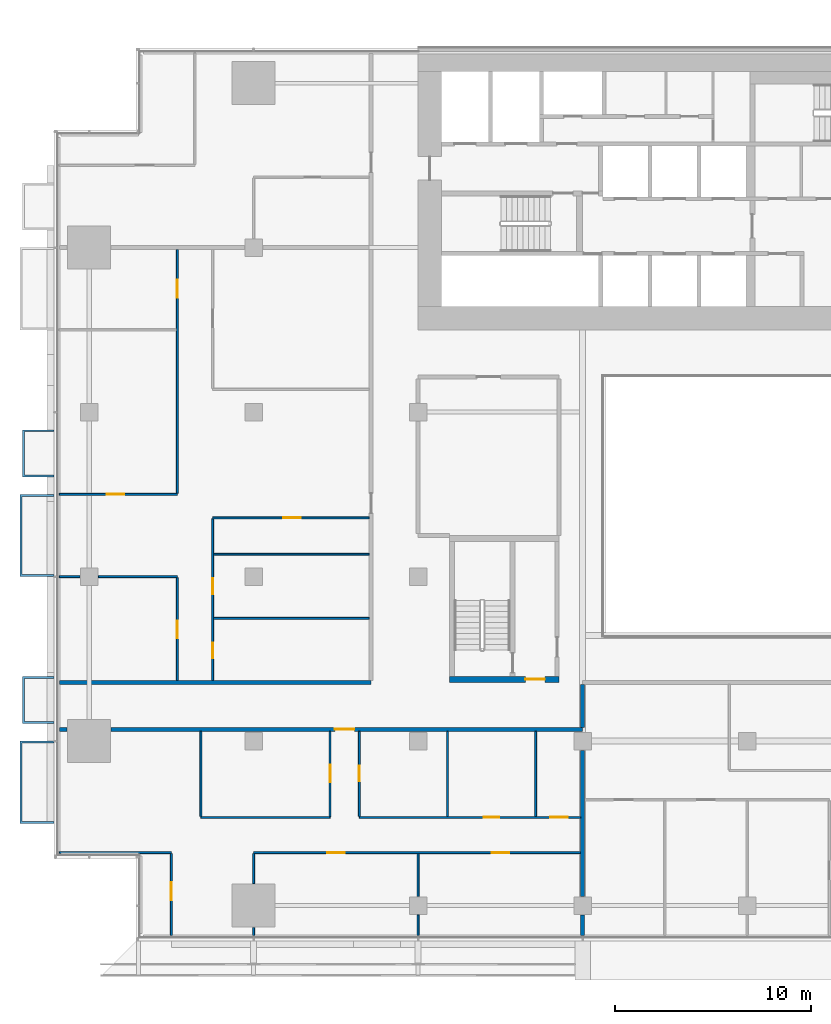
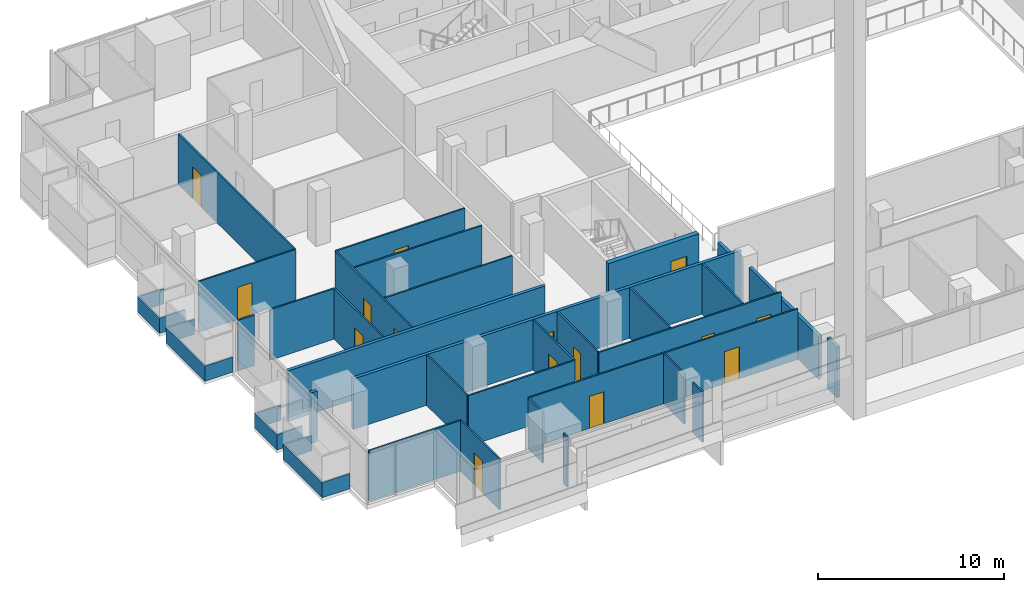
# One storey, part 17 of 30: 34 walls, 15 doors, 15 openings.
"""IFC4 building model written with IfcOpenShell, lengths in metres."""

from ifc_helpers import new_model, si_unit, direction, frame, frame_2d, origin, place, context, subcontext, project, spatial, polyline, rectangle, outline, extrude, material, layer, layer_set, type_object, element, fill, save


model = new_model("IFC4")

# Units and contexts
model_context = context("Model", 3, precision=1e-05, world=origin(), true_north=direction((0.0, 1.0)))
body_context = subcontext(model_context, "Body", "Model", "MODEL_VIEW")
ifc_project = project(units=[si_unit("LENGTHUNIT", "METRE"), si_unit("AREAUNIT", "SQUARE_METRE"), si_unit("VOLUMEUNIT", "CUBIC_METRE"), si_unit("PLANEANGLEUNIT", "RADIAN"), si_unit("MASSUNIT", "GRAM", prefix="KILO")], contexts=[model_context])

# Site, building, storey
site_placement = place(None, origin())
site = spatial("IfcSite", under=ifc_project, at=site_placement, CompositionType="ELEMENT")
building_placement = place(site_placement, origin())
building = spatial("IfcBuilding", under=site, at=building_placement, Name="Saffron Gate Tower", CompositionType="ELEMENT")
storey_placement = place(building_placement, frame((0.0, 0.0, 37.199951171875)))
storey = spatial("IfcBuildingStorey", under=building, at=storey_placement, Name="L07", CompositionType="ELEMENT", Elevation=37.199951171875)

# Wall, opening, door
ifc_material_1 = material(Name="Concrete C70", Category="concrete")
ifc_layer_1 = layer(ifc_material_1, 0.300048828125)
ifc_layer_set_1 = layer_set([ifc_layer_1], Name="CW5 RC core wall 300 C70")
wall_type_1 = type_object("IfcWallType", Name="CW5 RC core wall 300 C70", PredefinedType="SOLIDWALL", material=ifc_layer_set_1)
wall_1_placement = place(storey_placement, frame((68.199951171875, 43.35009765625, 0.0), z_axis=(0.0, 0.0, 1.0), x_axis=(1.0, 0.0, 0.0)))
wall_1 = element("IfcWall", 1, at=wall_1_placement, inside=storey, type_object=wall_type_1, Name="Wall CW5-L07-D-1", PredefinedType="SOLIDWALL", context=body_context, shape_type="SweptSolid", body=[
    extrude(rectangle(XDim=5.60009765625, YDim=0.300048828125, at=frame_2d((2.800048828125, 0.0))), origin(), (0.0, 0.0, 1.0), 3.320068359375),
])
opening_1_placement = place(wall_1_placement, frame((3.875, 0.0, 0.0)))
opening_1 = element("IfcOpeningElement", 2, at=opening_1_placement, cuts=wall_1, Name="Opening CR-18", PredefinedType="OPENING", context=body_context, shape_type="SweptSolid", body=[
    extrude(rectangle(XDim=1.0, YDim=2.10009765625, at=frame_2d((0.5, 1.050048828125))), frame((0.0, 0.16015625, 0.0), z_axis=(0.0, -1.0, 0.0), x_axis=(1.0, 0.0, 0.0)), (0.0, 0.0, 1.0), 0.320068359375),
])
ifc_material_2 = material(Name="Steel fire door set", Category="steel")
door_type_1 = type_object("IfcDoorType", Name="CD4 Lobby door 1000x2100 EI 120", OperationType="NOTDEFINED", PredefinedType="DOOR", material=ifc_material_2)
door_1_placement = place(opening_1_placement, origin())
door_1 = element("IfcDoor", 3, at=door_1_placement, inside=storey, type_object=door_type_1, Name="DOOR CR-18", OperationType="SINGLE_SWING_RIGHT", OverallHeight=2.10009765625, OverallWidth=1.0, PredefinedType="DOOR", context=body_context, shape_type="SweptSolid", body=[
    extrude(rectangle(XDim=1.0, YDim=2.10009765625, at=frame_2d((0.5, 1.050048828125))), frame((0.0, 0.02490234375, 0.0), z_axis=(0.0, -1.0, 0.0), x_axis=(1.0, 0.0, 0.0)), (0.0, 0.0, 1.0), 0.050048828125),
])
fill(opening_1, door_1)

# Wall
ifc_material_3 = material(Name="Plasterboard on steel studs", Category="steel")
ifc_layer_2 = layer(ifc_material_3, 0.10009765625)
ifc_layer_set_2 = layer_set([ifc_layer_2], Name="PW1 Partition 100")
wall_type_2 = type_object("IfcWallType", Name="PW1 Partition 100", PredefinedType="PARTITIONING", material=ifc_layer_set_2)
wall_2_placement = place(storey_placement, frame((48.280029296875, 34.5, 0.0), z_axis=(0.0, 0.0, 1.0), x_axis=(1.0, 0.0, 0.0)))
element("IfcWall", 4, at=wall_2_placement, inside=storey, type_object=wall_type_2, Name="Partition A1-1", PredefinedType="PARTITIONING", context=body_context, shape_type="SweptSolid", body=[
    extrude(rectangle(XDim=5.719970703125, YDim=0.10009765625, at=frame_2d((2.85986328125, 0.0))), origin(), (0.0, 0.0, 1.0), 3.320068359375),
])

# Wall, openings, doors
wall_3_placement = place(storey_placement, frame((74.89990234375, 34.5, 0.0), z_axis=(0.0, 0.0, 1.0), x_axis=(-1.0, 0.0, 0.0)))
wall_3 = element("IfcWall", 5, at=wall_3_placement, inside=storey, type_object=wall_type_2, Name="Partition A1-2", PredefinedType="PARTITIONING", context=body_context, shape_type="SweptSolid", body=[
    extrude(rectangle(XDim=16.699951171875, YDim=0.10009765625, at=frame_2d((8.35009765625, 0.0))), origin(), (0.0, 0.0, 1.0), 3.320068359375),
])
opening_2_placement = place(wall_3_placement, frame((3.64990234375, 0.0, 0.0)))
opening_2 = element("IfcOpeningElement", 6, at=opening_2_placement, cuts=wall_3, Name="Opening A1-10", PredefinedType="OPENING", context=body_context, shape_type="SweptSolid", body=[
    extrude(rectangle(XDim=0.89990234375, YDim=2.10009765625, at=frame_2d((0.449951171875, 1.050048828125))), frame((0.0, 0.06005859375, 0.0), z_axis=(0.0, -1.0, 0.0), x_axis=(1.0, 0.0, 0.0)), (0.0, 0.0, 1.0), 0.1201171875),
])
opening_3_placement = place(wall_3_placement, frame((12.050048828125, 0.0, 0.0)))
opening_3 = element("IfcOpeningElement", 7, at=opening_3_placement, cuts=wall_3, Name="Opening A1-9", PredefinedType="OPENING", context=body_context, shape_type="SweptSolid", body=[
    extrude(rectangle(XDim=0.89990234375, YDim=2.10009765625, at=frame_2d((0.449951171875, 1.050048828125))), frame((0.0, 0.06005859375, 0.0), z_axis=(0.0, -1.0, 0.0), x_axis=(1.0, 0.0, 0.0)), (0.0, 0.0, 1.0), 0.1201171875),
])
ifc_material_4 = material(Name="Timber door set", Category="wood")
door_type_2 = type_object("IfcDoorType", Name="RD1 Room door 900x2100", OperationType="NOTDEFINED", PredefinedType="DOOR", material=ifc_material_4)
door_2_placement = place(opening_2_placement, origin())
door_2 = element("IfcDoor", 8, at=door_2_placement, inside=storey, type_object=door_type_2, Name="Door A1-10", OperationType="SINGLE_SWING_LEFT", OverallHeight=2.10009765625, OverallWidth=0.89990234375, PredefinedType="DOOR", context=body_context, shape_type="SweptSolid", body=[
    extrude(rectangle(XDim=0.89990234375, YDim=2.10009765625, at=frame_2d((0.449951171875, 1.050048828125))), frame((0.0, 0.02490234375, 0.0), z_axis=(0.0, -1.0, 0.0), x_axis=(1.0, 0.0, 0.0)), (0.0, 0.0, 1.0), 0.050048828125),
])
fill(opening_2, door_2)
door_3_placement = place(opening_3_placement, origin())
door_3 = element("IfcDoor", 9, at=door_3_placement, inside=storey, type_object=door_type_2, Name="Door A1-9", OperationType="SINGLE_SWING_RIGHT", OverallHeight=2.10009765625, OverallWidth=0.89990234375, PredefinedType="DOOR", context=body_context, shape_type="SweptSolid", body=[
    extrude(rectangle(XDim=0.89990234375, YDim=2.10009765625, at=frame_2d((0.449951171875, 1.050048828125))), frame((0.0, 0.02490234375, 0.0), z_axis=(0.0, -1.0, 0.0), x_axis=(1.0, 0.0, 0.0)), (0.0, 0.0, 1.0), 0.050048828125),
])
fill(opening_3, door_3)

# Wall
wall_4_placement = place(storey_placement, frame((55.5, 36.300048828125, 0.0), z_axis=(0.0, 0.0, 1.0), x_axis=(1.0, 0.0, 0.0)))
element("IfcWall", 10, at=wall_4_placement, inside=storey, type_object=wall_type_2, Name="Partition A1-5", PredefinedType="PARTITIONING", context=body_context, shape_type="SweptSolid", body=[
    extrude(rectangle(XDim=6.60009765625, YDim=0.10009765625, at=frame_2d((3.300048828125, 0.0))), origin(), (0.0, 0.0, 1.0), 3.320068359375),
])

# Wall, openings, doors
wall_5_placement = place(storey_placement, frame((63.60009765625, 36.300048828125, 0.0), z_axis=(0.0, 0.0, 1.0), x_axis=(1.0, 0.0, 0.0)))
wall_5 = element("IfcWall", 11, at=wall_5_placement, inside=storey, type_object=wall_type_2, Name="Partition A1-6", PredefinedType="PARTITIONING", context=body_context, shape_type="SweptSolid", body=[
    extrude(rectangle(XDim=11.2998046875, YDim=0.10009765625, at=frame_2d((5.64990234375, 0.0))), origin(), (0.0, 0.0, 1.0), 3.320068359375),
])
opening_4_placement = place(wall_5_placement, frame((6.35009765625, 0.0, 0.0)))
opening_4 = element("IfcOpeningElement", 12, at=opening_4_placement, cuts=wall_5, Name="Opening A1-37", PredefinedType="OPENING", context=body_context, shape_type="SweptSolid", body=[
    extrude(rectangle(XDim=0.800048828125, YDim=2.10009765625, at=frame_2d((0.39990234375, 1.050048828125))), frame((0.0, 0.06005859375, 0.0), z_axis=(0.0, -1.0, 0.0), x_axis=(1.0, 0.0, 0.0)), (0.0, 0.0, 1.0), 0.1201171875),
])
opening_5_placement = place(wall_5_placement, frame((9.75, 0.0, 0.0)))
opening_5 = element("IfcOpeningElement", 13, at=opening_5_placement, cuts=wall_5, Name="Opening A1-12", PredefinedType="OPENING", context=body_context, shape_type="SweptSolid", body=[
    extrude(rectangle(XDim=0.89990234375, YDim=2.10009765625, at=frame_2d((0.449951171875, 1.050048828125))), frame((0.0, 0.06005859375, 0.0), z_axis=(0.0, -1.0, 0.0), x_axis=(1.0, 0.0, 0.0)), (0.0, 0.0, 1.0), 0.1201171875),
])
door_4_placement = place(opening_5_placement, origin())
door_4 = element("IfcDoor", 14, at=door_4_placement, inside=storey, type_object=door_type_2, Name="Door A1-12", OperationType="SINGLE_SWING_RIGHT", OverallHeight=2.10009765625, OverallWidth=0.89990234375, PredefinedType="DOOR", context=body_context, shape_type="SweptSolid", body=[
    extrude(rectangle(XDim=0.89990234375, YDim=2.10009765625, at=frame_2d((0.449951171875, 1.050048828125))), frame((0.0, 0.02490234375, 0.0), z_axis=(0.0, -1.0, 0.0), x_axis=(1.0, 0.0, 0.0)), (0.0, 0.0, 1.0), 0.050048828125),
])
fill(opening_5, door_4)
door_type_3 = type_object("IfcDoorType", Name="RD2 Bathroom door 800x2100", OperationType="NOTDEFINED", PredefinedType="DOOR", material=ifc_material_4)
door_5_placement = place(opening_4_placement, origin())
door_5 = element("IfcDoor", 15, at=door_5_placement, inside=storey, type_object=door_type_3, Name="Door A1-37", OperationType="SINGLE_SWING_RIGHT", OverallHeight=2.10009765625, OverallWidth=0.800048828125, PredefinedType="DOOR", context=body_context, shape_type="SweptSolid", body=[
    extrude(rectangle(XDim=0.800048828125, YDim=2.10009765625, at=frame_2d((0.39990234375, 1.050048828125))), frame((0.0, 0.02490234375, 0.0), z_axis=(0.0, -1.0, 0.0), x_axis=(1.0, 0.0, 0.0)), (0.0, 0.0, 1.0), 0.050048828125),
])
fill(opening_4, door_5)

# Walls
wall_6_placement = place(storey_placement, frame((56.14990234375, 46.4716796875, 0.0), z_axis=(0.0, 0.0, 1.0), x_axis=(1.0, 0.0, 0.0)))
element("IfcWall", 16, at=wall_6_placement, inside=storey, type_object=wall_type_2, Name="Partition A1-21", PredefinedType="PARTITIONING", context=body_context, shape_type="SweptSolid", body=[
    extrude(rectangle(XDim=7.9501953125, YDim=0.10009765625, at=frame_2d((3.97509765625, 0.0))), origin(), (0.0, 0.0, 1.0), 3.320068359375),
])
wall_7_placement = place(storey_placement, frame((48.280029296875, 48.60009765625, 0.0), z_axis=(0.0, 0.0, 1.0), x_axis=(1.0, 0.0, 0.0)))
element("IfcWall", 17, at=wall_7_placement, inside=storey, type_object=wall_type_2, Name="Partition A1-24", PredefinedType="PARTITIONING", context=body_context, shape_type="SweptSolid", body=[
    extrude(rectangle(XDim=1.050048828125, YDim=0.10009765625, at=frame_2d((0.52490234375, 0.0))), origin(), (0.0, 0.0, 1.0), 3.320068359375),
])
wall_8_placement = place(storey_placement, frame((50.27001953125, 48.60009765625, 0.0), z_axis=(0.0, 0.0, 1.0), x_axis=(1.0, 0.0, 0.0)))
element("IfcWall", 18, at=wall_8_placement, inside=storey, type_object=wall_type_2, Name="Partition A1-25", PredefinedType="PARTITIONING", context=body_context, shape_type="SweptSolid", body=[
    extrude(rectangle(XDim=4.030029296875, YDim=0.10009765625, at=frame_2d((2.01513671875, 0.0))), origin(), (0.0, 0.0, 1.0), 3.320068359375),
])
wall_9_placement = place(storey_placement, frame((56.14990234375, 49.7431640625, 0.0), z_axis=(0.0, 0.0, 1.0), x_axis=(1.0, 0.0, 0.0)))
element("IfcWall", 19, at=wall_9_placement, inside=storey, type_object=wall_type_2, Name="Partition A1-28", PredefinedType="PARTITIONING", context=body_context, shape_type="SweptSolid", body=[
    extrude(rectangle(XDim=7.9501953125, YDim=0.10009765625, at=frame_2d((3.97509765625, 0.0))), origin(), (0.0, 0.0, 1.0), 3.320068359375),
])

# Wall, opening, door
wall_10_placement = place(storey_placement, frame((64.10009765625, 51.60009765625, 0.0), z_axis=(0.0, 0.0, 1.0), x_axis=(-1.0, 0.0, 0.0)))
wall_10 = element("IfcWall", 20, at=wall_10_placement, inside=storey, type_object=wall_type_2, Name="Partition A1-32", PredefinedType="PARTITIONING", context=body_context, shape_type="SweptSolid", body=[
    extrude(rectangle(XDim=8.0, YDim=0.10009765625, at=frame_2d((4.0, 0.0))), origin(), (0.0, 0.0, 1.0), 3.320068359375),
])
opening_6_placement = place(wall_10_placement, frame((3.5, 0.0, 0.0)))
opening_6 = element("IfcOpeningElement", 21, at=opening_6_placement, cuts=wall_10, Name="Opening A1-27", PredefinedType="OPENING", context=body_context, shape_type="SweptSolid", body=[
    extrude(rectangle(XDim=0.89990234375, YDim=2.10009765625, at=frame_2d((0.449951171875, 1.050048828125))), frame((0.0, 0.06005859375, 0.0), z_axis=(0.0, -1.0, 0.0), x_axis=(1.0, 0.0, 0.0)), (0.0, 0.0, 1.0), 0.1201171875),
])
door_6_placement = place(opening_6_placement, origin())
door_6 = element("IfcDoor", 22, at=door_6_placement, inside=storey, type_object=door_type_2, Name="Door A1-27", OperationType="SINGLE_SWING_LEFT", OverallHeight=2.10009765625, OverallWidth=0.89990234375, PredefinedType="DOOR", context=body_context, shape_type="SweptSolid", body=[
    extrude(rectangle(XDim=0.89990234375, YDim=2.10009765625, at=frame_2d((0.449951171875, 1.050048828125))), frame((0.0, 0.02490234375, 0.0), z_axis=(0.0, -1.0, 0.0), x_axis=(1.0, 0.0, 0.0)), (0.0, 0.0, 1.0), 0.050048828125),
])
fill(opening_6, door_6)

wall_11_placement = place(storey_placement, frame((48.280029296875, 52.800048828125, 0.0), z_axis=(0.0, 0.0, 1.0), x_axis=(1.0, 0.0, 0.0)))
wall_11 = element("IfcWall", 23, at=wall_11_placement, inside=storey, type_object=wall_type_2, Name="Partition A1-33", PredefinedType="PARTITIONING", context=body_context, shape_type="SweptSolid", body=[
    extrude(rectangle(XDim=6.02001953125, YDim=0.10009765625, at=frame_2d((3.010009765625, 0.0))), origin(), (0.0, 0.0, 1.0), 3.320068359375),
])
opening_7_placement = place(wall_11_placement, frame((2.419921875, 0.0, 0.0)))
opening_7 = element("IfcOpeningElement", 24, at=opening_7_placement, cuts=wall_11, Name="Opening A1-24", PredefinedType="OPENING", context=body_context, shape_type="SweptSolid", body=[
    extrude(rectangle(XDim=0.89990234375, YDim=2.10009765625, at=frame_2d((0.449951171875, 1.050048828125))), frame((0.0, 0.06005859375, 0.0), z_axis=(0.0, -1.0, 0.0), x_axis=(1.0, 0.0, 0.0)), (0.0, 0.0, 1.0), 0.1201171875),
])
door_7_placement = place(opening_7_placement, origin())
door_7 = element("IfcDoor", 25, at=door_7_placement, inside=storey, type_object=door_type_2, Name="Door A1-24", OperationType="SINGLE_SWING_LEFT", OverallHeight=2.10009765625, OverallWidth=0.89990234375, PredefinedType="DOOR", context=body_context, shape_type="SweptSolid", body=[
    extrude(rectangle(XDim=0.89990234375, YDim=2.10009765625, at=frame_2d((0.449951171875, 1.050048828125))), frame((0.0, 0.02490234375, 0.0), z_axis=(0.0, -1.0, 0.0), x_axis=(1.0, 0.0, 0.0)), (0.0, 0.0, 1.0), 0.050048828125),
])
fill(opening_7, door_7)

wall_12_placement = place(storey_placement, frame((54.0, 30.280029296875, 0.0), z_axis=(0.0, 0.0, 1.0), x_axis=(0.0, 1.0, 0.0)))
wall_12 = element("IfcWall", 26, at=wall_12_placement, inside=storey, type_object=wall_type_2, Name="Partition A1-52", PredefinedType="PARTITIONING", context=body_context, shape_type="SweptSolid", body=[
    extrude(rectangle(XDim=4.169921875, YDim=0.10009765625, at=frame_2d((2.0849609375, 0.0))), origin(), (0.0, 0.0, 1.0), 3.320068359375),
])
opening_8_placement = place(wall_12_placement, frame((1.802734375, 0.0, 0.0)))
opening_8 = element("IfcOpeningElement", 27, at=opening_8_placement, cuts=wall_12, Name="Opening A1-8", PredefinedType="OPENING", context=body_context, shape_type="SweptSolid", body=[
    extrude(rectangle(XDim=0.89990234375, YDim=2.10009765625, at=frame_2d((0.449951171875, 1.050048828125))), frame((0.0, 0.06005859375, 0.0), z_axis=(0.0, -1.0, 0.0), x_axis=(1.0, 0.0, 0.0)), (0.0, 0.0, 1.0), 0.1201171875),
])
door_8_placement = place(opening_8_placement, origin())
door_8 = element("IfcDoor", 28, at=door_8_placement, inside=storey, type_object=door_type_2, Name="Door A1-8", OperationType="SINGLE_SWING_RIGHT", OverallHeight=2.10009765625, OverallWidth=0.89990234375, PredefinedType="DOOR", context=body_context, shape_type="SweptSolid", body=[
    extrude(rectangle(XDim=0.89990234375, YDim=2.10009765625, at=frame_2d((0.449951171875, 1.050048828125))), frame((0.0, 0.02490234375, 0.0), z_axis=(0.0, -1.0, 0.0), x_axis=(1.0, 0.0, 0.0)), (0.0, 0.0, 1.0), 0.050048828125),
])
fill(opening_8, door_8)

wall_13_placement = place(storey_placement, frame((54.300048828125, 43.300048828125, 0.0), z_axis=(0.0, 0.0, 1.0), x_axis=(0.0, 1.0, 0.0)))
wall_13 = element("IfcWall", 29, at=wall_13_placement, inside=storey, type_object=wall_type_2, Name="Partition A1-53", PredefinedType="PARTITIONING", context=body_context, shape_type="SweptSolid", body=[
    extrude(rectangle(XDim=5.25, YDim=0.10009765625, at=frame_2d((2.625, 0.0))), origin(), (0.0, 0.0, 1.0), 3.320068359375),
])
opening_9_placement = place(wall_13_placement, frame((2.14990234375, 0.0, 0.0)))
opening_9 = element("IfcOpeningElement", 30, at=opening_9_placement, cuts=wall_13, Name="Opening A1-23", PredefinedType="OPENING", context=body_context, shape_type="SweptSolid", body=[
    extrude(rectangle(XDim=0.89990234375, YDim=2.10009765625, at=frame_2d((0.449951171875, 1.050048828125))), frame((0.0, 0.06005859375, 0.0), z_axis=(0.0, -1.0, 0.0), x_axis=(1.0, 0.0, 0.0)), (0.0, 0.0, 1.0), 0.1201171875),
])
door_9_placement = place(opening_9_placement, origin())
door_9 = element("IfcDoor", 31, at=door_9_placement, inside=storey, type_object=door_type_2, Name="Door A1-23", OperationType="SINGLE_SWING_LEFT", OverallHeight=2.10009765625, OverallWidth=0.89990234375, PredefinedType="DOOR", context=body_context, shape_type="SweptSolid", body=[
    extrude(rectangle(XDim=0.89990234375, YDim=2.10009765625, at=frame_2d((0.449951171875, 1.050048828125))), frame((0.0, 0.02490234375, 0.0), z_axis=(0.0, -1.0, 0.0), x_axis=(1.0, 0.0, 0.0)), (0.0, 0.0, 1.0), 0.050048828125),
])
fill(opening_9, door_9)

wall_14_placement = place(storey_placement, frame((54.300048828125, 52.85009765625, 0.0), z_axis=(0.0, 0.0, 1.0), x_axis=(0.0, 1.0, 0.0)))
wall_14 = element("IfcWall", 32, at=wall_14_placement, inside=storey, type_object=wall_type_2, Name="Partition A1-54", PredefinedType="PARTITIONING", context=body_context, shape_type="SweptSolid", body=[
    extrude(rectangle(XDim=12.449951171875, YDim=0.10009765625, at=frame_2d((6.22509765625, 0.0))), origin(), (0.0, 0.0, 1.0), 3.320068359375),
])
opening_10_placement = place(wall_14_placement, frame((10.0, 0.0, 0.0)))
opening_10 = element("IfcOpeningElement", 33, at=opening_10_placement, cuts=wall_14, Name="Opening A1-25", PredefinedType="OPENING", context=body_context, shape_type="SweptSolid", body=[
    extrude(rectangle(XDim=0.89990234375, YDim=2.10009765625, at=frame_2d((0.449951171875, 1.050048828125))), frame((0.0, 0.06005859375, 0.0), z_axis=(0.0, -1.0, 0.0), x_axis=(1.0, 0.0, 0.0)), (0.0, 0.0, 1.0), 0.1201171875),
])
door_10_placement = place(opening_10_placement, origin())
door_10 = element("IfcDoor", 34, at=door_10_placement, inside=storey, type_object=door_type_2, Name="Door A1-25", OperationType="SINGLE_SWING_RIGHT", OverallHeight=2.10009765625, OverallWidth=0.89990234375, PredefinedType="DOOR", context=body_context, shape_type="SweptSolid", body=[
    extrude(rectangle(XDim=0.89990234375, YDim=2.10009765625, at=frame_2d((0.449951171875, 1.050048828125))), frame((0.0, 0.02490234375, 0.0), z_axis=(0.0, -1.0, 0.0), x_axis=(1.0, 0.0, 0.0)), (0.0, 0.0, 1.0), 0.050048828125),
])
fill(opening_10, door_10)

# Wall
wall_15_placement = place(storey_placement, frame((55.5, 40.699951171875, 0.0), z_axis=(0.0, 0.0, 1.0), x_axis=(0.0, -1.0, 0.0)))
element("IfcWall", 35, at=wall_15_placement, inside=storey, type_object=wall_type_2, Name="Partition A1-56", PredefinedType="PARTITIONING", context=body_context, shape_type="SweptSolid", body=[
    extrude(rectangle(XDim=4.349853515625, YDim=0.10009765625, at=frame_2d((2.1748046875, 0.0))), origin(), (0.0, 0.0, 1.0), 3.320068359375),
])

# Wall, openings, doors
wall_16_placement = place(storey_placement, frame((56.10009765625, 51.550048828125, 0.0), z_axis=(0.0, 0.0, 1.0), x_axis=(0.0, -1.0, 0.0)))
wall_16 = element("IfcWall", 36, at=wall_16_placement, inside=storey, type_object=wall_type_2, Name="Partition A1-57", PredefinedType="PARTITIONING", context=body_context, shape_type="SweptSolid", body=[
    extrude(rectangle(XDim=8.25, YDim=0.10009765625, at=frame_2d((4.125, 0.0))), origin(), (0.0, 0.0, 1.0), 3.320068359375),
])
opening_11_placement = place(wall_16_placement, frame((3.04248046875, 0.0, 0.0)))
opening_11 = element("IfcOpeningElement", 37, at=opening_11_placement, cuts=wall_16, Name="Opening A1-43", PredefinedType="OPENING", context=body_context, shape_type="SweptSolid", body=[
    extrude(rectangle(XDim=0.800048828125, YDim=2.10009765625, at=frame_2d((0.39990234375, 1.050048828125))), frame((0.0, 0.06005859375, 0.0), z_axis=(0.0, -1.0, 0.0), x_axis=(1.0, 0.0, 0.0)), (0.0, 0.0, 1.0), 0.1201171875),
])
opening_12_placement = place(wall_16_placement, frame((6.314208984375, 0.0, 0.0)))
opening_12 = element("IfcOpeningElement", 38, at=opening_12_placement, cuts=wall_16, Name="Opening A1-42", PredefinedType="OPENING", context=body_context, shape_type="SweptSolid", body=[
    extrude(rectangle(XDim=0.800048828125, YDim=2.10009765625, at=frame_2d((0.39990234375, 1.050048828125))), frame((0.0, 0.06005859375, 0.0), z_axis=(0.0, -1.0, 0.0), x_axis=(1.0, 0.0, 0.0)), (0.0, 0.0, 1.0), 0.1201171875),
])
door_11_placement = place(opening_11_placement, origin())
door_11 = element("IfcDoor", 39, at=door_11_placement, inside=storey, type_object=door_type_3, Name="Door A1-43", OperationType="SINGLE_SWING_RIGHT", OverallHeight=2.10009765625, OverallWidth=0.800048828125, PredefinedType="DOOR", context=body_context, shape_type="SweptSolid", body=[
    extrude(rectangle(XDim=0.800048828125, YDim=2.10009765625, at=frame_2d((0.39990234375, 1.050048828125))), frame((0.0, 0.02490234375, 0.0), z_axis=(0.0, -1.0, 0.0), x_axis=(1.0, 0.0, 0.0)), (0.0, 0.0, 1.0), 0.050048828125),
])
fill(opening_11, door_11)
door_12_placement = place(opening_12_placement, origin())
door_12 = element("IfcDoor", 40, at=door_12_placement, inside=storey, type_object=door_type_3, Name="Door A1-42", OperationType="SINGLE_SWING_RIGHT", OverallHeight=2.10009765625, OverallWidth=0.800048828125, PredefinedType="DOOR", context=body_context, shape_type="SweptSolid", body=[
    extrude(rectangle(XDim=0.800048828125, YDim=2.10009765625, at=frame_2d((0.39990234375, 1.050048828125))), frame((0.0, 0.02490234375, 0.0), z_axis=(0.0, -1.0, 0.0), x_axis=(1.0, 0.0, 0.0)), (0.0, 0.0, 1.0), 0.050048828125),
])
fill(opening_12, door_12)

# Walls
wall_17_placement = place(storey_placement, frame((58.199951171875, 30.679931640625, 0.0), z_axis=(0.0, 0.0, 1.0), x_axis=(0.0, -1.0, 0.0)))
element("IfcWall", 41, at=wall_17_placement, inside=storey, type_object=wall_type_2, Name="Partition A1-59", PredefinedType="PARTITIONING", context=body_context, shape_type="SweptSolid", body=[
    extrude(rectangle(XDim=0.39990234375, YDim=0.10009765625, at=frame_2d((0.199951171875, 0.0))), origin(), (0.0, 0.0, 1.0), 3.320068359375),
])
wall_18_placement = place(storey_placement, frame((58.199951171875, 34.449951171875, 0.0), z_axis=(0.0, 0.0, 1.0), x_axis=(0.0, -1.0, 0.0)))
element("IfcWall", 42, at=wall_18_placement, inside=storey, type_object=wall_type_2, Name="Partition A1-60", PredefinedType="PARTITIONING", context=body_context, shape_type="SweptSolid", body=[
    extrude(rectangle(XDim=1.530029296875, YDim=0.10009765625, at=frame_2d((0.76513671875, 0.0))), origin(), (0.0, 0.0, 1.0), 3.320068359375),
])

# Wall, opening, door
wall_19_placement = place(storey_placement, frame((62.10009765625, 36.35009765625, 0.0), z_axis=(0.0, 0.0, 1.0), x_axis=(0.0, 1.0, 0.0)))
wall_19 = element("IfcWall", 43, at=wall_19_placement, inside=storey, type_object=wall_type_2, Name="Partition A1-62", PredefinedType="PARTITIONING", context=body_context, shape_type="SweptSolid", body=[
    extrude(rectangle(XDim=4.349853515625, YDim=0.10009765625, at=frame_2d((2.1748046875, 0.0))), origin(), (0.0, 0.0, 1.0), 3.320068359375),
])
opening_13_placement = place(wall_19_placement, frame((1.75, 0.0, 0.0)))
opening_13 = element("IfcOpeningElement", 44, at=opening_13_placement, cuts=wall_19, Name="Opening A1-11", PredefinedType="OPENING", context=body_context, shape_type="SweptSolid", body=[
    extrude(rectangle(XDim=0.89990234375, YDim=2.10009765625, at=frame_2d((0.449951171875, 1.050048828125))), frame((0.0, 0.06005859375, 0.0), z_axis=(0.0, -1.0, 0.0), x_axis=(1.0, 0.0, 0.0)), (0.0, 0.0, 1.0), 0.1201171875),
])
door_13_placement = place(opening_13_placement, origin())
door_13 = element("IfcDoor", 45, at=door_13_placement, inside=storey, type_object=door_type_2, Name="Door A1-11", OperationType="SINGLE_SWING_RIGHT", OverallHeight=2.10009765625, OverallWidth=0.89990234375, PredefinedType="DOOR", context=body_context, shape_type="SweptSolid", body=[
    extrude(rectangle(XDim=0.89990234375, YDim=2.10009765625, at=frame_2d((0.449951171875, 1.050048828125))), frame((0.0, 0.02490234375, 0.0), z_axis=(0.0, -1.0, 0.0), x_axis=(1.0, 0.0, 0.0)), (0.0, 0.0, 1.0), 0.050048828125),
])
fill(opening_13, door_13)

wall_20_placement = place(storey_placement, frame((63.60009765625, 40.699951171875, 0.0), z_axis=(0.0, 0.0, 1.0), x_axis=(0.0, -1.0, 0.0)))
wall_20 = element("IfcWall", 46, at=wall_20_placement, inside=storey, type_object=wall_type_2, Name="Partition A1-63", PredefinedType="PARTITIONING", context=body_context, shape_type="SweptSolid", body=[
    extrude(rectangle(XDim=4.349853515625, YDim=0.10009765625, at=frame_2d((2.1748046875, 0.0))), origin(), (0.0, 0.0, 1.0), 3.320068359375),
])
opening_14_placement = place(wall_20_placement, frame((1.75, 0.0, 0.0)))
opening_14 = element("IfcOpeningElement", 47, at=opening_14_placement, cuts=wall_20, Name="Opening A1-36", PredefinedType="OPENING", context=body_context, shape_type="SweptSolid", body=[
    extrude(rectangle(XDim=0.800048828125, YDim=2.10009765625, at=frame_2d((0.39990234375, 1.050048828125))), frame((0.0, 0.06005859375, 0.0), z_axis=(0.0, -1.0, 0.0), x_axis=(1.0, 0.0, 0.0)), (0.0, 0.0, 1.0), 0.1201171875),
])
door_14_placement = place(opening_14_placement, origin())
door_14 = element("IfcDoor", 48, at=door_14_placement, inside=storey, type_object=door_type_3, Name="Door A1-36", OperationType="SINGLE_SWING_LEFT", OverallHeight=2.10009765625, OverallWidth=0.800048828125, PredefinedType="DOOR", context=body_context, shape_type="SweptSolid", body=[
    extrude(rectangle(XDim=0.800048828125, YDim=2.10009765625, at=frame_2d((0.39990234375, 1.050048828125))), frame((0.0, 0.02490234375, 0.0), z_axis=(0.0, -1.0, 0.0), x_axis=(1.0, 0.0, 0.0)), (0.0, 0.0, 1.0), 0.050048828125),
])
fill(opening_14, door_14)

# Walls
wall_21_placement = place(storey_placement, frame((66.60009765625, 31.330078125, 0.0), z_axis=(0.0, 0.0, 1.0), x_axis=(0.0, -1.0, 0.0)))
element("IfcWall", 49, at=wall_21_placement, inside=storey, type_object=wall_type_2, Name="Partition A1-67", PredefinedType="PARTITIONING", context=body_context, shape_type="SweptSolid", body=[
    extrude(rectangle(XDim=1.050048828125, YDim=0.10009765625, at=frame_2d((0.52490234375, 0.0))), origin(), (0.0, 0.0, 1.0), 3.320068359375),
])
wall_22_placement = place(storey_placement, frame((66.60009765625, 34.449951171875, 0.0), z_axis=(0.0, 0.0, 1.0), x_axis=(0.0, -1.0, 0.0)))
element("IfcWall", 50, at=wall_22_placement, inside=storey, type_object=wall_type_2, Name="Partition A1-68", PredefinedType="PARTITIONING", context=body_context, shape_type="SweptSolid", body=[
    extrude(rectangle(XDim=2.179931640625, YDim=0.10009765625, at=frame_2d((1.08984375, 0.0))), origin(), (0.0, 0.0, 1.0), 3.320068359375),
])
for number, where, z_axis, x_axis, name in (
    (51, (68.10009765625, 40.699951171875, 0.0), (0.0, 0.0, 1.0), (0.0, -1.0, 0.0), "Partition A1-69"),
    (52, (72.60009765625, 40.699951171875, 0.0), (0.0, 0.0, 1.0), (0.0, -1.0, 0.0), "Partition A1-70"),
):
    element("IfcWall", number, at=place(storey_placement, frame(where, z_axis=z_axis, x_axis=x_axis)), inside=storey, type_object=wall_type_2, Name=name, PredefinedType="PARTITIONING", context=body_context, shape_type="SweptSolid", body=[
        extrude(rectangle(XDim=4.349853515625, YDim=0.10009765625, at=frame_2d((2.1748046875, 0.0))), origin(), (0.0, 0.0, 1.0), 3.320068359375),
    ])
ifc_material_5 = material(Name="Clay brick masonry, rendered", Category="masonry")
ifc_layer_3 = layer(ifc_material_5, 0.199951171875)
ifc_layer_set_3 = layer_set([ifc_layer_3], Name="PW2 Demising wall 200")
wall_type_3 = type_object("IfcWallType", Name="PW2 Demising wall 200", PredefinedType="PARTITIONING", material=ifc_layer_set_3)
wall_23_placement = place(storey_placement, frame((75.0, 31.330078125, 0.0), z_axis=(0.0, 0.0, 1.0), x_axis=(0.0, -1.0, 0.0)))
element("IfcWall", 53, at=wall_23_placement, inside=storey, type_object=wall_type_3, Name="Wall A1-73", PredefinedType="PARTITIONING", context=body_context, shape_type="SweptSolid", body=[
    extrude(rectangle(XDim=1.050048828125, YDim=0.199951171875, at=frame_2d((0.52490234375, 0.0))), origin(), (0.0, 0.0, 1.0), 3.320068359375),
])
wall_24_placement = place(storey_placement, frame((75.0, 39.72998046875, 0.0), z_axis=(0.0, 0.0, 1.0), x_axis=(0.0, -1.0, 0.0)))
element("IfcWall", 54, at=wall_24_placement, inside=storey, type_object=wall_type_3, Name="Wall A1-74", PredefinedType="PARTITIONING", context=body_context, shape_type="SweptSolid", body=[
    extrude(rectangle(XDim=7.4599609375, YDim=0.199951171875, at=frame_2d((3.72998046875, 0.0))), origin(), (0.0, 0.0, 1.0), 2.830078125),
])
ifc_layer_4 = layer(ifc_material_5, 0.199951171875)
ifc_layer_set_4 = layer_set([ifc_layer_4], Name="PW3 Corridor wall 200")
wall_type_4 = type_object("IfcWallType", Name="PW3 Corridor wall 200", PredefinedType="PARTITIONING", material=ifc_layer_set_4)
wall_25_placement = place(storey_placement, frame((48.280029296875, 40.800048828125, 0.0), z_axis=(0.0, 0.0, 1.0), x_axis=(1.0, 0.0, 0.0)))
element("IfcWall", 55, at=wall_25_placement, inside=storey, type_object=wall_type_4, Name="Wall A1-13", PredefinedType="PARTITIONING", context=body_context, shape_type="SweptSolid", body=[
    extrude(rectangle(XDim=0.39990234375, YDim=0.199951171875, at=frame_2d((0.199951171875, 0.0))), origin(), (0.0, 0.0, 1.0), 3.320068359375),
])

# Wall, opening, door
wall_26_placement = place(storey_placement, frame((75.0, 40.800048828125, 0.0), z_axis=(0.0, 0.0, 1.0), x_axis=(-1.0, 0.0, 0.0)))
wall_26 = element("IfcWall", 56, at=wall_26_placement, inside=storey, type_object=wall_type_4, Name="Wall A1-14", PredefinedType="PARTITIONING", context=body_context, shape_type="SweptSolid", body=[
    extrude(rectangle(XDim=24.080078125, YDim=0.199951171875, at=frame_2d((12.0400390625, 0.0))), origin(), (0.0, 0.0, 1.0), 3.320068359375),
])
opening_15_placement = place(wall_26_placement, frame((11.64990234375, 0.0, 0.0)))
opening_15 = element("IfcOpeningElement", 57, at=opening_15_placement, cuts=wall_26, Name="Opening A1-1", PredefinedType="OPENING", context=body_context, shape_type="SweptSolid", body=[
    extrude(rectangle(XDim=1.0, YDim=2.10009765625, at=frame_2d((0.5, 1.050048828125))), frame((0.0, 0.10986328125, 0.0), z_axis=(0.0, -1.0, 0.0), x_axis=(1.0, 0.0, 0.0)), (0.0, 0.0, 1.0), 0.219970703125),
])
ifc_material_6 = material(Name="Timber fire door set", Category="wood")
door_type_4 = type_object("IfcDoorType", Name="FD1 Flat entry door 1000x2100", OperationType="NOTDEFINED", PredefinedType="DOOR", material=ifc_material_6)
door_15_placement = place(opening_15_placement, origin())
door_15 = element("IfcDoor", 58, at=door_15_placement, inside=storey, type_object=door_type_4, Name="Door A1-1", OperationType="SINGLE_SWING_LEFT", OverallHeight=2.10009765625, OverallWidth=1.0, PredefinedType="DOOR", context=body_context, shape_type="SweptSolid", body=[
    extrude(rectangle(XDim=1.0, YDim=2.10009765625, at=frame_2d((0.5, 1.050048828125))), frame((0.0, 0.02490234375, 0.0), z_axis=(0.0, -1.0, 0.0), x_axis=(1.0, 0.0, 0.0)), (0.0, 0.0, 1.0), 0.050048828125),
])
fill(opening_15, door_15)

# Walls
wall_27_placement = place(storey_placement, frame((48.280029296875, 43.199951171875, 0.0), z_axis=(0.0, 0.0, 1.0), x_axis=(1.0, 0.0, 0.0)))
element("IfcWall", 59, at=wall_27_placement, inside=storey, type_object=wall_type_4, Name="Wall A1-17", PredefinedType="PARTITIONING", context=body_context, shape_type="SweptSolid", body=[
    extrude(rectangle(XDim=15.919921875, YDim=0.199951171875, at=frame_2d((7.9599609375, 0.0))), origin(), (0.0, 0.0, 1.0), 3.320068359375),
])
wall_28_placement = place(storey_placement, frame((75.0, 43.10009765625, 0.0), z_axis=(0.0, 0.0, 1.0), x_axis=(0.0, -1.0, 0.0)))
element("IfcWall", 60, at=wall_28_placement, inside=storey, type_object=wall_type_4, Name="Wall A1-72", PredefinedType="PARTITIONING", context=body_context, shape_type="SweptSolid", body=[
    extrude(rectangle(XDim=2.2001953125, YDim=0.199951171875, at=frame_2d((1.10009765625, 0.0))), origin(), (0.0, 0.0, 1.0), 2.429931640625),
])
ifc_material_7 = material(Name="Rendered insulated panel, white")
ifc_layer_5 = layer(ifc_material_7, 0.10009765625)
ifc_layer_set_5 = layer_set([ifc_layer_5], Name="WB3 box parapet white")
wall_type_5 = type_object("IfcWallType", Name="WB3 box parapet white", PredefinedType="SOLIDWALL", material=ifc_layer_set_5)
wall_29_placement = place(storey_placement, origin())
element("IfcWall", 61, at=wall_29_placement, inside=storey, type_object=wall_type_5, Name="WINDOW BOX parapet", PredefinedType="SOLIDWALL", context=body_context, shape_type="SweptSolid", body=[
    extrude(outline(polyline([(48.0, 56.10009765625), (48.0, 56.0), (46.5, 56.0), (46.5, 53.800048828125), (48.0, 53.800048828125), (48.0, 53.699951171875), (46.39990234375, 53.699951171875), (46.39990234375, 56.10009765625), (48.0, 56.10009765625)])), origin(), (0.0, 0.0, 1.0), 1.0),
])
wall_30_placement = place(storey_placement, origin())
element("IfcWall", 62, at=wall_30_placement, inside=storey, type_object=wall_type_5, Name="WINDOW BOX parapet", PredefinedType="SOLIDWALL", context=body_context, shape_type="SweptSolid", body=[
    extrude(outline(polyline([(48.0, 52.800048828125), (48.0, 52.699951171875), (46.366943359375, 52.699951171875), (46.366943359375, 48.699951171875), (48.0, 48.699951171875), (48.0, 48.60009765625), (46.26708984375, 48.60009765625), (46.26708984375, 52.800048828125), (48.0, 52.800048828125)])), origin(), (0.0, 0.0, 1.0), 1.0),
])
wall_31_placement = place(storey_placement, origin())
element("IfcWall", 63, at=wall_31_placement, inside=storey, type_object=wall_type_5, Name="WINDOW BOX parapet", PredefinedType="SOLIDWALL", context=body_context, shape_type="SweptSolid", body=[
    extrude(outline(polyline([(48.0, 43.5), (48.0, 43.39990234375), (46.5, 43.39990234375), (46.5, 41.199951171875), (48.0, 41.199951171875), (48.0, 41.10009765625), (46.39990234375, 41.10009765625), (46.39990234375, 43.5), (48.0, 43.5)])), origin(), (0.0, 0.0, 1.0), 1.0),
])
wall_32_placement = place(storey_placement, origin())
element("IfcWall", 64, at=wall_32_placement, inside=storey, type_object=wall_type_5, Name="WINDOW BOX parapet", PredefinedType="SOLIDWALL", context=body_context, shape_type="SweptSolid", body=[
    extrude(outline(polyline([(48.0, 40.199951171875), (48.0, 40.10009765625), (46.366943359375, 40.10009765625), (46.366943359375, 36.10009765625), (48.0, 36.10009765625), (48.0, 36.0), (46.26708984375, 36.0), (46.26708984375, 40.199951171875), (48.0, 40.199951171875)])), origin(), (0.0, 0.0, 1.0), 1.0),
])

save(model, "model.ifc")
